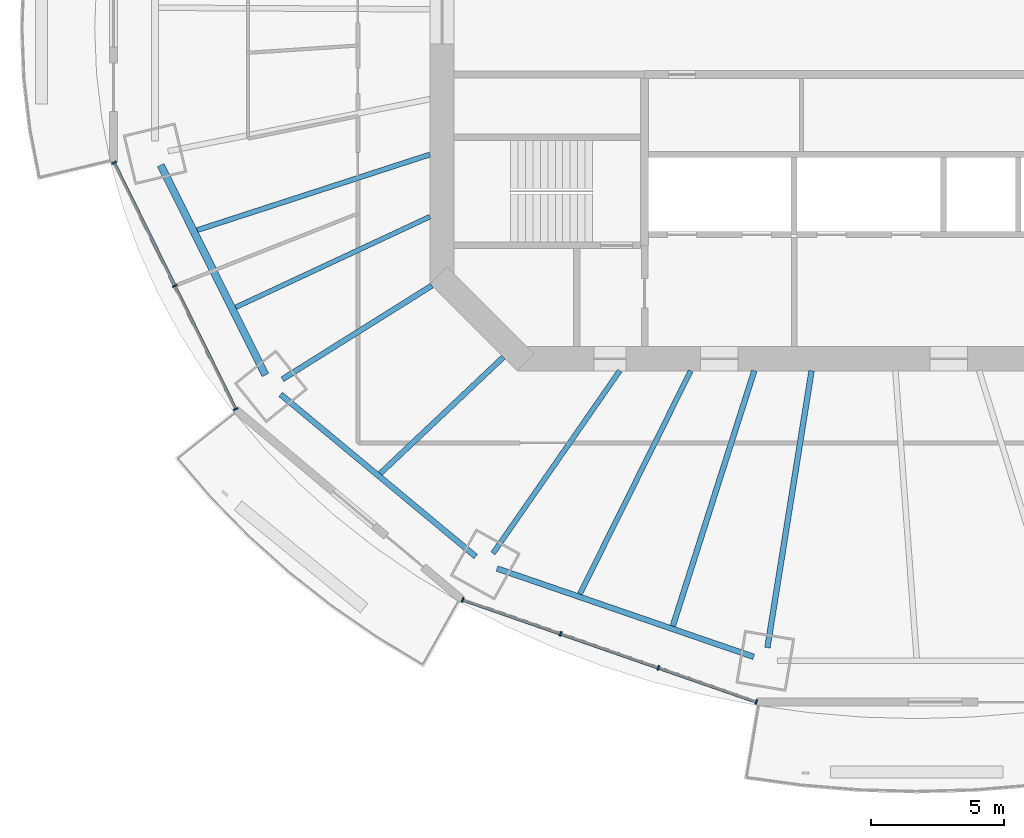
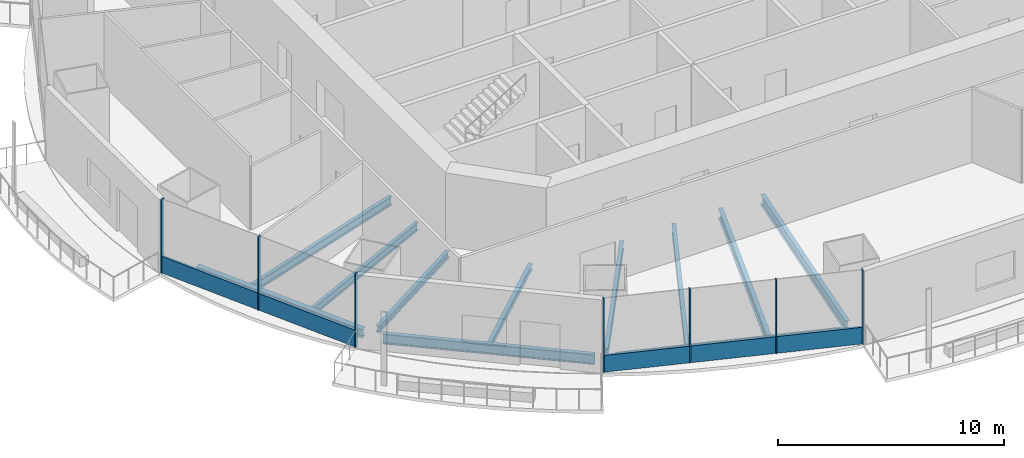
# One storey, part 2 of 19: 11 beams, 9 members, 2 elements without a shape of their own.
"""IFC4 building model written with IfcOpenShell, lengths in metres."""

from ifc_helpers import new_model, si_unit, direction, frame, origin, origin_2d, place, context, subcontext, project, spatial, rectangle, i_section, extrude, material, material_profile, profile_set, type_object, element, aggregate, save


model = new_model("IFC4")

# Units and contexts
model_context = context("Model", 3, precision=1e-05, world=origin(), true_north=direction((0.0, 1.0)))
body_context = subcontext(model_context, "Body", "Model", "MODEL_VIEW")
ifc_project = project(units=[si_unit("LENGTHUNIT", "METRE"), si_unit("AREAUNIT", "SQUARE_METRE"), si_unit("VOLUMEUNIT", "CUBIC_METRE"), si_unit("PLANEANGLEUNIT", "RADIAN"), si_unit("MASSUNIT", "GRAM", prefix="KILO")], contexts=[model_context])

# Site, building, storey
site_placement = place(None, origin())
site = spatial("IfcSite", under=ifc_project, at=site_placement, CompositionType="ELEMENT")
building_placement = place(site_placement, origin())
building = spatial("IfcBuilding", under=site, at=building_placement, Name="Marenthal Gate Tower", CompositionType="ELEMENT")
storey_placement = place(building_placement, frame((0.0, 0.0, 223.300048828125)))
storey = spatial("IfcBuildingStorey", under=building, at=storey_placement, Name="L49", CompositionType="ELEMENT", Elevation=223.300048828125)

# Curtain wall, members
ifc_material_1 = material(Name="Aluminium and glass", Category="aluminium")
curtain_wall_type = type_object("IfcCurtainWallType", Name="Curtain wall typical mid", PredefinedType="NOTDEFINED", material=ifc_material_1)
curtain_wall_1_placement = place(storey_placement, origin())
curtain_wall_1 = element("IfcCurtainWall", 1, at=curtain_wall_1_placement, inside=storey, type_object=curtain_wall_type, Name="Curtain wall L49 bay 9", PredefinedType="NOTDEFINED")
ifc_material_2 = material(Name="Aluminium", Category="aluminium")
ifc_material_profile_1 = material_profile(ifc_material_2, rectangle(XDim=0.179931640625, YDim=0.06005859375, at=origin_2d()), Name="60x180 aluminium mullion")
ifc_profile_set_1 = profile_set([ifc_material_profile_1], Name="Aluminium")
member_type_1 = type_object("IfcMemberType", Name="Mullion 60x180 typical mid", PredefinedType="MULLION", material=ifc_profile_set_1)
member_1_placement = place(storey_placement, frame((-28.284912109375, -5.6533203125, 0.0), z_axis=(0.0, 0.0, 1.0), x_axis=(0.896797507361, 0.442441217329, 0.0)))
member_1 = element("IfcMember", 2, at=member_1_placement, type_object=member_type_1, Name="Mullion L49 bay 9.1", PredefinedType="MULLION", context=body_context, shape_type="SweptSolid", body=[
    extrude(rectangle(XDim=0.179931640625, YDim=0.06005859375, at=origin_2d()), origin(), (0.0, 0.0, 1.0), 3.969970703125),
])
member_2_placement = place(storey_placement, frame((-26.00732421875, -10.2705078125, 0.0), z_axis=(0.0, 0.0, 1.0), x_axis=(0.896797507361, 0.442441217329, 0.0)))
member_2 = element("IfcMember", 3, at=member_2_placement, type_object=member_type_1, Name="Mullion L49 bay 9.2", PredefinedType="MULLION", context=body_context, shape_type="SweptSolid", body=[
    extrude(rectangle(XDim=0.179931640625, YDim=0.06005859375, at=origin_2d()), origin(), (0.0, 0.0, 1.0), 3.969970703125),
])
member_3_placement = place(storey_placement, frame((-23.7294921875, -14.887451171875, 0.0), z_axis=(0.0, 0.0, 1.0), x_axis=(0.896797507361, 0.442441217329, 0.0)))
member_3 = element("IfcMember", 4, at=member_3_placement, type_object=member_type_1, Name="Mullion L49 bay 9.3", PredefinedType="MULLION", context=body_context, shape_type="SweptSolid", body=[
    extrude(rectangle(XDim=0.179931640625, YDim=0.06005859375, at=origin_2d()), origin(), (0.0, 0.0, 1.0), 3.969970703125),
])

curtain_wall_2_placement = place(storey_placement, origin())
curtain_wall_2 = element("IfcCurtainWall", 5, at=curtain_wall_2_placement, inside=storey, type_object=curtain_wall_type, Name="Curtain wall L49 bay 11", PredefinedType="NOTDEFINED")
member_4_placement = place(storey_placement, frame((-15.220947265625, -22.03271484375, 0.0), z_axis=(0.0, 0.0, 1.0), x_axis=(0.328467970612, 0.94451510961, 0.0)))
member_4 = element("IfcMember", 6, at=member_4_placement, type_object=member_type_1, Name="Mullion L49 bay 11.1", PredefinedType="MULLION", context=body_context, shape_type="SweptSolid", body=[
    extrude(rectangle(XDim=0.179931640625, YDim=0.06005859375, at=origin_2d()), origin(), (0.0, 0.0, 1.0), 3.969970703125),
])
member_5_placement = place(storey_placement, frame((-11.552490234375, -23.308349609375, 0.0), z_axis=(0.0, 0.0, 1.0), x_axis=(0.328467970612, 0.94451510961, 0.0)))
member_5 = element("IfcMember", 7, at=member_5_placement, type_object=member_type_1, Name="Mullion L49 bay 11.2", PredefinedType="MULLION", context=body_context, shape_type="SweptSolid", body=[
    extrude(rectangle(XDim=0.179931640625, YDim=0.06005859375, at=origin_2d()), origin(), (0.0, 0.0, 1.0), 3.969970703125),
])
member_6_placement = place(storey_placement, frame((-7.8837890625, -24.584228515625, 0.0), z_axis=(0.0, 0.0, 1.0), x_axis=(0.328467970612, 0.94451510961, 0.0)))
member_6 = element("IfcMember", 8, at=member_6_placement, type_object=member_type_1, Name="Mullion L49 bay 11.3", PredefinedType="MULLION", context=body_context, shape_type="SweptSolid", body=[
    extrude(rectangle(XDim=0.179931640625, YDim=0.06005859375, at=origin_2d()), origin(), (0.0, 0.0, 1.0), 3.969970703125),
])
member_7_placement = place(storey_placement, frame((-4.215087890625, -25.860107421875, 0.0), z_axis=(0.0, 0.0, 1.0), x_axis=(0.328467970612, 0.94451510961, 0.0)))
member_7 = element("IfcMember", 9, at=member_7_placement, type_object=member_type_1, Name="Mullion L49 bay 11.4", PredefinedType="MULLION", context=body_context, shape_type="SweptSolid", body=[
    extrude(rectangle(XDim=0.179931640625, YDim=0.06005859375, at=origin_2d()), origin(), (0.0, 0.0, 1.0), 3.969970703125),
])

# Member
ifc_material_3 = material(Name="Aluminium", Category="aluminium")
ifc_material_profile_2 = material_profile(ifc_material_3, rectangle(XDim=0.1201171875, YDim=0.89990234375, at=origin_2d()), Name="120x900 aluminium transom")
ifc_profile_set_2 = profile_set([ifc_material_profile_2], Name="Aluminium")
member_type_2 = type_object("IfcMemberType", Name="Transom 120x900 typical mid", PredefinedType="USERDEFINED", material=ifc_profile_set_2)
member_8_placement = place(storey_placement, frame((-28.271728515625, -5.680419921875, 0.449951171875), z_axis=(0.442446743058, -0.896794781183, 0.0), x_axis=(0.896794781183, 0.442446743058, 0.0)))
member_8 = element("IfcMember", 10, at=member_8_placement, type_object=member_type_2, Name="Transom L49 bay 9", ObjectType="TRANSOM", PredefinedType="USERDEFINED", context=body_context, shape_type="SweptSolid", body=[
    extrude(rectangle(XDim=0.1201171875, YDim=0.89990234375, at=origin_2d()), origin(), (0.0, 0.0, 1.0), 10.236328125),
])

aggregate(curtain_wall_1, [member_1, member_2, member_3, member_8])

member_9_placement = place(storey_placement, frame((-15.192626953125, -22.04248046875, 0.449951171875), z_axis=(0.944518387827, -0.328458543894, 0.0), x_axis=(0.328458543894, 0.944518387827, 0.0)))
member_9 = element("IfcMember", 11, at=member_9_placement, type_object=member_type_2, Name="Transom L49 bay 11", ObjectType="TRANSOM", PredefinedType="USERDEFINED", context=body_context, shape_type="SweptSolid", body=[
    extrude(rectangle(XDim=0.1201171875, YDim=0.89990234375, at=origin_2d()), origin(), (0.0, 0.0, 1.0), 11.59228515625),
])

aggregate(curtain_wall_2, [member_4, member_5, member_6, member_7, member_9])

# Beams
ifc_material_4 = material(Name="Steel S355", Category="steel")
ifc_material_profile_3 = material_profile(ifc_material_4, i_section(OverallWidth=0.205078125, OverallDepth=0.31005859375, WebThickness=0.009521484375, FlangeThickness=0.016357421875, FilletRadius=0.0126953125, at=origin_2d()), Name="W310X74")
ifc_profile_set_3 = profile_set([ifc_material_profile_3], Name="Steel S355")
beam_type_1 = type_object("IfcBeamType", Name="W310X74 beam", PredefinedType="BEAM", material=ifc_profile_set_3)
beam_1_placement = place(storey_placement, frame((-18.309326171875, -17.299560546875, -0.3349609375), z_axis=(0.726862728437, 0.686782770612, 0.0), x_axis=(-0.686782770612, 0.726862728437, 0.0)))
element("IfcBeam", 12, at=beam_1_placement, inside=storey, type_object=beam_type_1, Name="BM-L49-31", PredefinedType="BEAM", context=body_context, shape_type="SweptSolid", body=[
    extrude(i_section(OverallWidth=0.205078125, OverallDepth=0.31005859375, WebThickness=0.009521484375, FlangeThickness=0.016357421875, FilletRadius=0.0126953125, at=origin_2d()), origin(), (0.0, 0.0, 1.0), 6.34716796875),
])
ifc_material_5 = material(Name="Steel S355", Category="steel")
ifc_material_profile_4 = material_profile(ifc_material_5, i_section(OverallWidth=0.205078125, OverallDepth=0.35302734375, WebThickness=0.009521484375, FlangeThickness=0.016845703125, FilletRadius=0.014892578125, at=origin_2d()), Name="W360X79")
ifc_profile_set_4 = profile_set([ifc_material_profile_4], Name="Steel S355")
beam_type_2 = type_object("IfcBeamType", Name="W360X79 beam", PredefinedType="BEAM", material=ifc_profile_set_4)
beam_2_placement = place(storey_placement, frame((-21.972900390625, -13.767333984375, -0.3564453125), z_axis=(0.847401773797, 0.530952195368, 0.0), x_axis=(-0.530952195368, 0.847401773797, 0.0)))
element("IfcBeam", 13, at=beam_2_placement, inside=storey, type_object=beam_type_2, Name="BM-L49-10", PredefinedType="BEAM", context=body_context, shape_type="SweptSolid", body=[
    extrude(i_section(OverallWidth=0.205078125, OverallDepth=0.35302734375, WebThickness=0.009521484375, FlangeThickness=0.016845703125, FilletRadius=0.014892578125, at=origin_2d()), origin(), (0.0, 0.0, 1.0), 6.604736328125),
])
ifc_material_6 = material(Name="Steel S355", Category="steel")
ifc_material_profile_5 = material_profile(ifc_material_6, i_section(OverallWidth=0.180908203125, OverallDepth=0.4169921875, WebThickness=0.010986328125, FlangeThickness=0.018310546875, FilletRadius=0.01025390625, at=origin_2d()), Name="W410X85")
ifc_profile_set_5 = profile_set([ifc_material_profile_5], Name="Steel S355")
beam_type_3 = type_object("IfcBeamType", Name="W410X85 beam", PredefinedType="BEAM", material=ifc_profile_set_5)
beam_3_placement = place(storey_placement, frame((-23.724609375, -11.0712890625, -0.388427734375), z_axis=(0.906186247766, 0.422878805759, 0.0), x_axis=(-0.422878805759, 0.906186247766, 0.0)))
element("IfcBeam", 14, at=beam_3_placement, inside=storey, type_object=beam_type_3, Name="BM-L49-30", PredefinedType="BEAM", context=body_context, shape_type="SweptSolid", body=[
    extrude(i_section(OverallWidth=0.180908203125, OverallDepth=0.4169921875, WebThickness=0.010986328125, FlangeThickness=0.018310546875, FilletRadius=0.01025390625, at=origin_2d()), origin(), (0.0, 0.0, 1.0), 8.02783203125),
])
ifc_material_7 = material(Name="Steel S355", Category="steel")
ifc_material_profile_6 = material_profile(ifc_material_7, i_section(OverallWidth=0.279052734375, OverallDepth=0.4619140625, WebThickness=0.0107421875, FlangeThickness=0.017333984375, FilletRadius=0.010009765625, at=origin_2d()), Name="W460X113")
ifc_profile_set_6 = profile_set([ifc_material_profile_6], Name="Steel S355")
beam_type_4 = type_object("IfcBeamType", Name="W460X113 beam", PredefinedType="BEAM", material=ifc_profile_set_6)
beam_4_placement = place(storey_placement, frame((-26.53662109375, -5.743408203125, -0.4111328125), z_axis=(0.446158339693, -0.894954041235, 0.0), x_axis=(0.894954041235, 0.446158339693, 0.0)))
element("IfcBeam", 15, at=beam_4_placement, inside=storey, type_object=beam_type_4, Name="BM-L49-49", PredefinedType="BEAM", context=body_context, shape_type="SweptSolid", body=[
    extrude(i_section(OverallWidth=0.279052734375, OverallDepth=0.4619140625, WebThickness=0.0107421875, FlangeThickness=0.017333984375, FilletRadius=0.010009765625, at=origin_2d()), origin(), (0.0, 0.0, 1.0), 8.794189453125),
])
ifc_material_8 = material(Name="Steel S355", Category="steel")
ifc_material_profile_7 = material_profile(ifc_material_8, i_section(OverallWidth=0.193115234375, OverallDepth=0.467041015625, WebThickness=0.011474609375, FlangeThickness=0.01904296875, FilletRadius=0.010009765625, at=origin_2d()), Name="W460X97")
ifc_profile_set_7 = profile_set([ifc_material_profile_7], Name="Steel S355")
beam_type_5 = type_object("IfcBeamType", Name="W460X97 beam", PredefinedType="BEAM", material=ifc_profile_set_7)
beam_5_placement = place(storey_placement, frame((-14.08349609375, -20.294189453125, -0.41357421875), z_axis=(0.57011788142, 0.8215629016, 0.0), x_axis=(-0.8215629016, 0.57011788142, 0.0)))
element("IfcBeam", 16, at=beam_5_placement, inside=storey, type_object=beam_type_5, Name="BM-L49-11", PredefinedType="BEAM", context=body_context, shape_type="SweptSolid", body=[
    extrude(i_section(OverallWidth=0.193115234375, OverallDepth=0.467041015625, WebThickness=0.011474609375, FlangeThickness=0.01904296875, FilletRadius=0.010009765625, at=origin_2d()), origin(), (0.0, 0.0, 1.0), 8.330810546875),
])
beam_6_placement = place(storey_placement, frame((-25.165771484375, -8.180908203125, -0.41357421875), z_axis=(0.951006658156, 0.309170399848, 0.0), x_axis=(-0.309170399848, 0.951006658156, 0.0)))
element("IfcBeam", 17, at=beam_6_placement, inside=storey, type_object=beam_type_5, Name="BM-L49-29", PredefinedType="BEAM", context=body_context, shape_type="SweptSolid", body=[
    extrude(i_section(OverallWidth=0.193115234375, OverallDepth=0.467041015625, WebThickness=0.011474609375, FlangeThickness=0.01904296875, FilletRadius=0.010009765625, at=origin_2d()), origin(), (0.0, 0.0, 1.0), 9.164794921875),
])
beam_7_placement = place(storey_placement, frame((-10.826416015625, -21.817138671875, -0.41357421875), z_axis=(0.444514209815, 0.895771799775, 0.0), x_axis=(-0.895771799775, 0.444514209815, 0.0)))
element("IfcBeam", 18, at=beam_7_placement, inside=storey, type_object=beam_type_5, Name="BM-L49-32", PredefinedType="BEAM", context=body_context, shape_type="SweptSolid", body=[
    extrude(i_section(OverallWidth=0.193115234375, OverallDepth=0.467041015625, WebThickness=0.011474609375, FlangeThickness=0.01904296875, FilletRadius=0.010009765625, at=origin_2d()), origin(), (0.0, 0.0, 1.0), 9.3408203125),
])
ifc_material_9 = material(Name="Steel S355", Category="steel")
ifc_material_profile_8 = material_profile(ifc_material_9, i_section(OverallWidth=0.2099609375, OverallDepth=0.535888671875, WebThickness=0.010986328125, FlangeThickness=0.017333984375, FilletRadius=0.0126953125, at=origin_2d()), Name="W530X101")
ifc_profile_set_8 = profile_set([ifc_material_profile_8], Name="Steel S355")
beam_type_6 = type_object("IfcBeamType", Name="W530X101 beam", PredefinedType="BEAM", material=ifc_profile_set_8)
beam_8_placement = place(storey_placement, frame((-7.343994140625, -23.015380859375, -0.447998046875), z_axis=(0.303990403849, 0.952675093811, 0.0), x_axis=(-0.952675093811, 0.303990403849, 0.0)))
element("IfcBeam", 19, at=beam_8_placement, inside=storey, type_object=beam_type_6, Name="BM-L49-33", PredefinedType="BEAM", context=body_context, shape_type="SweptSolid", body=[
    extrude(i_section(OverallWidth=0.2099609375, OverallDepth=0.535888671875, WebThickness=0.010986328125, FlangeThickness=0.017333984375, FilletRadius=0.0126953125, at=origin_2d()), origin(), (0.0, 0.0, 1.0), 10.04052734375),
])
ifc_material_10 = material(Name="Steel S355", Category="steel")
ifc_material_profile_9 = material_profile(ifc_material_10, i_section(OverallWidth=0.2119140625, OverallDepth=0.5439453125, WebThickness=0.01318359375, FlangeThickness=0.021240234375, FilletRadius=0.0126953125, at=origin_2d()), Name="W530X123")
ifc_profile_set_9 = profile_set([ifc_material_profile_9], Name="Steel S355")
beam_type_7 = type_object("IfcBeamType", Name="W530X123 beam", PredefinedType="BEAM", material=ifc_profile_set_9)
beam_9_placement = place(storey_placement, frame((-3.800048828125, -23.82666015625, -0.4521484375), z_axis=(0.157503870989, 0.987518369765, 0.0), x_axis=(-0.987518369765, 0.157503870989, 0.0)))
element("IfcBeam", 20, at=beam_9_placement, inside=storey, type_object=beam_type_7, Name="BM-L49-12", PredefinedType="BEAM", context=body_context, shape_type="SweptSolid", body=[
    extrude(i_section(OverallWidth=0.2119140625, OverallDepth=0.5439453125, WebThickness=0.01318359375, FlangeThickness=0.021240234375, FilletRadius=0.0126953125, at=origin_2d()), origin(), (0.0, 0.0, 1.0), 10.5078125),
])
beam_10_placement = place(storey_placement, frame((-22.04150390625, -14.33642578125, -0.4521484375), z_axis=(0.769155216777, -0.639062009906, 0.0), x_axis=(0.639062009906, 0.769155216777, 0.0)))
element("IfcBeam", 21, at=beam_10_placement, inside=storey, type_object=beam_type_7, Name="BM-L49-50", PredefinedType="BEAM", context=body_context, shape_type="SweptSolid", body=[
    extrude(i_section(OverallWidth=0.2119140625, OverallDepth=0.5439453125, WebThickness=0.01318359375, FlangeThickness=0.021240234375, FilletRadius=0.0126953125, at=origin_2d()), origin(), (0.0, 0.0, 1.0), 9.50537109375),
])
beam_11_placement = place(storey_placement, frame((-13.931884765625, -20.8603515625, -0.4521484375), z_axis=(0.945567746604, -0.325425316443, 0.0), x_axis=(0.325425316443, 0.945567746604, 0.0)))
element("IfcBeam", 22, at=beam_11_placement, inside=storey, type_object=beam_type_7, Name="BM-L49-51", PredefinedType="BEAM", context=body_context, shape_type="SweptSolid", body=[
    extrude(i_section(OverallWidth=0.2119140625, OverallDepth=0.5439453125, WebThickness=0.01318359375, FlangeThickness=0.021240234375, FilletRadius=0.0126953125, at=origin_2d()), origin(), (0.0, 0.0, 1.0), 10.16845703125),
])

save(model, "model.ifc")
